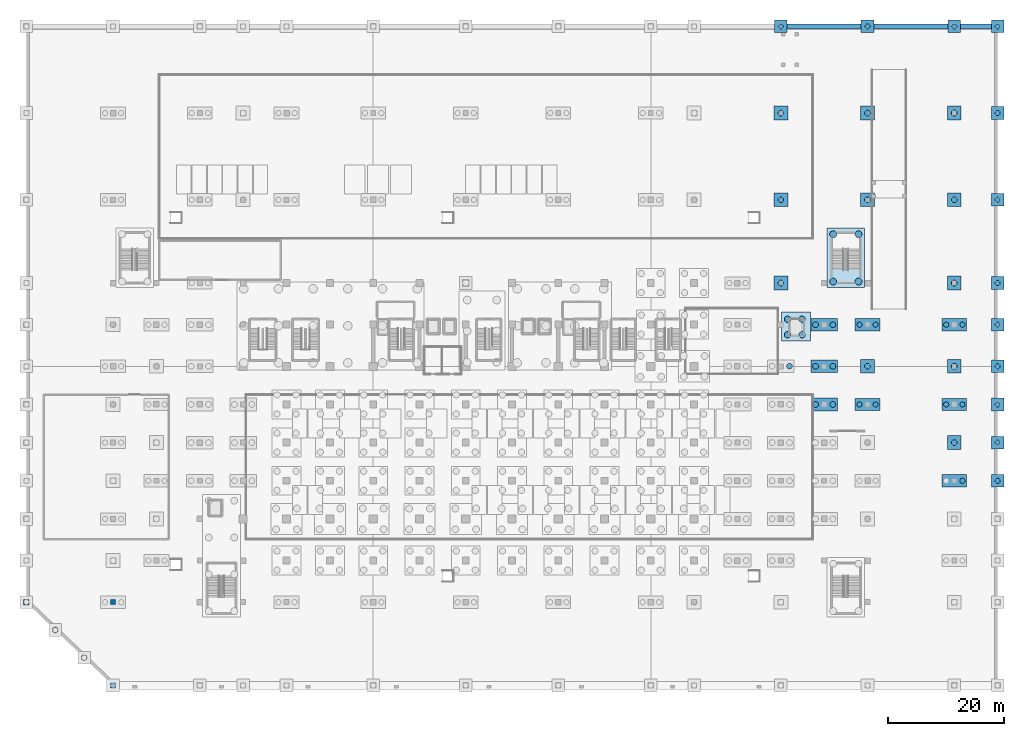
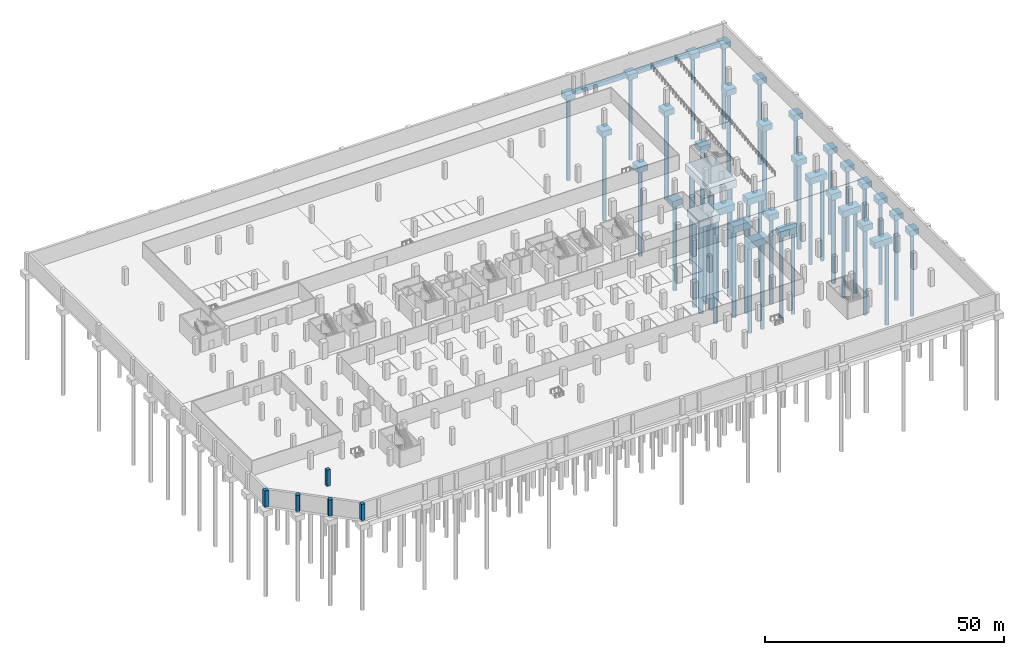
# One storey, part 4 of 26: 47 piles, 36 footings, 5 columns.
"""IFC4 building model written with IfcOpenShell, lengths in metres."""

from ifc_helpers import new_model, si_unit, direction, frame, origin, origin_2d, place, context, subcontext, project, spatial, rectangle, circle, extrude, material, material_profile, profile_set, type_object, element, save


model = new_model("IFC4")

# Units and contexts
model_context = context("Model", 3, precision=1e-05, world=origin(), true_north=direction((0.0, 1.0)))
body_context = subcontext(model_context, "Body", "Model", "MODEL_VIEW")
ifc_project = project(units=[si_unit("LENGTHUNIT", "METRE"), si_unit("AREAUNIT", "SQUARE_METRE"), si_unit("VOLUMEUNIT", "CUBIC_METRE"), si_unit("PLANEANGLEUNIT", "RADIAN"), si_unit("MASSUNIT", "GRAM", prefix="KILO")], contexts=[model_context])

# Site, building, storey
site_placement = place(None, origin())
site = spatial("IfcSite", under=ifc_project, at=site_placement, CompositionType="ELEMENT")
building_placement = place(site_placement, origin())
building = spatial("IfcBuilding", under=site, at=building_placement, Name="Akrevak Sports Hall", CompositionType="ELEMENT")
storey_placement = place(building_placement, frame((0.0, 0.0, -9.0)))
storey = spatial("IfcBuildingStorey", under=building, at=storey_placement, Name="B02", CompositionType="ELEMENT", Elevation=-9.0)

# Footings
ifc_material_1 = material(Name="Concrete C40/50", Category="concrete")
footing_type_1 = type_object("IfcFootingType", Name="STR-PC-220x220x140", PredefinedType="PILE_CAP", material=ifc_material_1)
for number, where, z_axis, x_axis, name in (
    (1, (130.5, 114.0, -1.949951171875), (0.0, 0.0, 1.0), (1.0, 0.0, 0.0), "Pile Cap PC-06 at 18/Q"),
    (2, (145.5, 114.0, -1.949951171875), (0.0, 0.0, 1.0), (1.0, 0.0, 0.0), "Pile Cap PC-06 at 20/Q"),
    (3, (160.5, 114.0, -1.949951171875), (0.0, 0.0, 1.0), (1.0, 0.0, 0.0), "Pile Cap PC-06 at 22/Q"),
    (4, (168.0, 35.39990234375, -1.949951171875), (0.0, 0.0, 1.0), (1.0, 0.0, 0.0), "Pile Cap PC-06 at 23/F"),
    (5, (168.0, 42.0, -1.949951171875), (0.0, 0.0, 1.0), (1.0, 0.0, 0.0), "Pile Cap PC-06 at 23/G"),
    (6, (168.0, 48.60009765625, -1.949951171875), (0.0, 0.0, 1.0), (1.0, 0.0, 0.0), "Pile Cap PC-06 at 23/H"),
    (7, (168.0, 55.199951171875, -1.949951171875), (0.0, 0.0, 1.0), (1.0, 0.0, 0.0), "Pile Cap PC-06 at 23/I"),
    (8, (168.0, 62.39990234375, -1.949951171875), (0.0, 0.0, 1.0), (1.0, 0.0, 0.0), "Pile Cap PC-06 at 23/J"),
    (9, (168.0, 69.60009765625, -1.949951171875), (0.0, 0.0, 1.0), (1.0, 0.0, 0.0), "Pile Cap PC-06 at 23/K"),
    (10, (168.0, 84.0, -1.949951171875), (0.0, 0.0, 1.0), (1.0, 0.0, 0.0), "Pile Cap PC-06 at 23/M"),
    (11, (168.0, 99.0, -1.949951171875), (0.0, 0.0, 1.0), (1.0, 0.0, 0.0), "Pile Cap PC-06 at 23/O"),
    (12, (168.0, 114.0, -1.949951171875), (0.0, 0.0, 1.0), (1.0, 0.0, 0.0), "Pile Cap PC-06 at 23/Q"),
):
    element("IfcFooting", number, at=place(storey_placement, frame(where, z_axis=z_axis, x_axis=x_axis)), inside=storey, type_object=footing_type_1, Name=name, PredefinedType="PILE_CAP", context=body_context, shape_type="SweptSolid", body=[
        extrude(rectangle(XDim=2.199951171875, YDim=2.199951171875, at=origin_2d()), origin(), (0.0, 0.0, 1.0), 1.39990234375),
    ])
footing_type_2 = type_object("IfcFootingType", Name="STR-PC-240x240x150", PredefinedType="PILE_CAP", material=ifc_material_1)
for number, where, z_axis, x_axis, name in (
    (13, (130.5, 69.60009765625, -2.050048828125), (0.0, 0.0, 1.0), (1.0, 0.0, 0.0), "Pile Cap PC-05 at 18/K"),
    (14, (130.5, 84.0, -2.050048828125), (0.0, 0.0, 1.0), (1.0, 0.0, 0.0), "Pile Cap PC-05 at 18/M"),
    (15, (130.5, 99.0, -2.050048828125), (0.0, 0.0, 1.0), (1.0, 0.0, 0.0), "Pile Cap PC-05 at 18/O"),
    (16, (145.5, 55.199951171875, -2.050048828125), (0.0, 0.0, 1.0), (1.0, 0.0, 0.0), "Pile Cap PC-05 at 20/I"),
    (17, (145.5, 84.0, -2.050048828125), (0.0, 0.0, 1.0), (1.0, 0.0, 0.0), "Pile Cap PC-05 at 20/M"),
    (18, (145.5, 99.0, -2.050048828125), (0.0, 0.0, 1.0), (1.0, 0.0, 0.0), "Pile Cap PC-05 at 20/O"),
    (19, (160.5, 42.0, -2.050048828125), (0.0, 0.0, 1.0), (1.0, 0.0, 0.0), "Pile Cap PC-05 at 22/G"),
    (20, (160.5, 55.199951171875, -2.050048828125), (0.0, 0.0, 1.0), (1.0, 0.0, 0.0), "Pile Cap PC-05 at 22/I"),
    (21, (160.5, 69.60009765625, -2.050048828125), (0.0, 0.0, 1.0), (1.0, 0.0, 0.0), "Pile Cap PC-05 at 22/K"),
    (22, (160.5, 84.0, -2.050048828125), (0.0, 0.0, 1.0), (1.0, 0.0, 0.0), "Pile Cap PC-05 at 22/M"),
    (23, (160.5, 99.0, -2.050048828125), (0.0, 0.0, 1.0), (1.0, 0.0, 0.0), "Pile Cap PC-05 at 22/O"),
):
    element("IfcFooting", number, at=place(storey_placement, frame(where, z_axis=z_axis, x_axis=x_axis)), inside=storey, type_object=footing_type_2, Name=name, PredefinedType="PILE_CAP", context=body_context, shape_type="SweptSolid", body=[
        extrude(rectangle(XDim=2.39990234375, YDim=2.39990234375, at=origin_2d()), origin(), (0.0, 0.0, 1.0), 1.5),
    ])
footing_type_3 = type_object("IfcFootingType", Name="STR-PC-430x210x160", PredefinedType="PILE_CAP", material=ifc_material_1)
for number, where, z_axis, x_axis, name in (
    (24, (145.5, 48.60009765625, -2.150146484375), (0.0, 0.0, 1.0), (1.0, 0.0, 0.0), "Pile Cap PC-04 at 20/H"),
    (25, (145.5, 62.39990234375, -2.150146484375), (0.0, 0.0, 1.0), (1.0, 0.0, 0.0), "Pile Cap PC-04 at 20/J"),
    (26, (160.5, 35.39990234375, -2.150146484375), (0.0, 0.0, 1.0), (1.0, 0.0, 0.0), "Pile Cap PC-04 at 22/F"),
    (27, (160.5, 48.60009765625, -2.150146484375), (0.0, 0.0, 1.0), (1.0, 0.0, 0.0), "Pile Cap PC-04 at 22/H"),
    (28, (160.5, 62.39990234375, -2.150146484375), (0.0, 0.0, 1.0), (1.0, 0.0, 0.0), "Pile Cap PC-04 at 22/J"),
):
    element("IfcFooting", number, at=place(storey_placement, frame(where, z_axis=z_axis, x_axis=x_axis)), inside=storey, type_object=footing_type_3, Name=name, PredefinedType="PILE_CAP", context=body_context, shape_type="SweptSolid", body=[
        extrude(rectangle(XDim=4.300048828125, YDim=2.10009765625, at=origin_2d()), origin(), (0.0, 0.0, 1.0), 1.60009765625),
    ])
footing_type_4 = type_object("IfcFootingType", Name="STR-PC-460x220x175", PredefinedType="PILE_CAP", material=ifc_material_1)
for number, where, z_axis, x_axis, name in (
    (29, (138.0, 48.60009765625, -2.300048828125), (0.0, 0.0, 1.0), (1.0, 0.0, 0.0), "Pile Cap PC-03 at 19/H"),
    (30, (138.0, 55.199951171875, -2.300048828125), (0.0, 0.0, 1.0), (1.0, 0.0, 0.0), "Pile Cap PC-03 at 19/I"),
    (31, (138.0, 62.39990234375, -2.300048828125), (0.0, 0.0, 1.0), (1.0, 0.0, 0.0), "Pile Cap PC-03 at 19/J"),
):
    element("IfcFooting", number, at=place(storey_placement, frame(where, z_axis=z_axis, x_axis=x_axis)), inside=storey, type_object=footing_type_4, Name=name, PredefinedType="PILE_CAP", context=body_context, shape_type="SweptSolid", body=[
        extrude(rectangle(XDim=4.60009765625, YDim=2.199951171875, at=origin_2d()), origin(), (0.0, 0.0, 1.0), 1.75),
    ])
footing_type_5 = type_object("IfcFootingType", Name="STR-PC-MAT-P4", PredefinedType="PILE_CAP", material=ifc_material_1)
footing_1_placement = place(storey_placement, frame((141.75, 73.949951171875, -2.5), z_axis=(0.0, 0.0, 1.0), x_axis=(1.0, 0.0, 0.0)))
element("IfcFooting", 32, at=footing_1_placement, inside=storey, type_object=footing_type_5, Name="Combined Pile Cap PC-M8", PredefinedType="PILE_CAP", context=body_context, shape_type="SweptSolid", body=[
    extrude(rectangle(XDim=6.5, YDim=10.300048828125, at=origin_2d()), origin(), (0.0, 0.0, 1.0), 1.949951171875),
])
footing_type_6 = type_object("IfcFootingType", Name="STR-PC-MAT-P5", PredefinedType="PILE_CAP", material=ifc_material_1)
footing_2_placement = place(storey_placement, frame((133.10009765625, 62.10009765625, -2.400146484375), z_axis=(0.0, 0.0, 1.0), x_axis=(1.0, 0.0, 0.0)))
element("IfcFooting", 33, at=footing_2_placement, inside=storey, type_object=footing_type_6, Name="Combined Pile Cap PC-M9", PredefinedType="PILE_CAP", context=body_context, shape_type="SweptSolid", body=[
    extrude(rectangle(XDim=5.0, YDim=5.0, at=origin_2d()), origin(), (0.0, 0.0, 1.0), 1.85009765625),
])

# Piles
ifc_material_profile_1 = material_profile(ifc_material_1, circle(Radius=0.5, at=origin_2d()), Name="BORED PILE D1000", Category="concrete")
ifc_profile_set_1 = profile_set([ifc_material_profile_1], Name="Concrete C40/50")
pile_type_1 = type_object("IfcPileType", Name="STR-PILE-D1000", PredefinedType="BORED", material=ifc_profile_set_1)
for number, where, z_axis, x_axis, name in (
    (34, (132.0, 55.199951171875, -2.300048828125), (0.0, 0.0, -1.0), (1.0, 0.0, 0.0), "Bored Pile 18/I-2"),
    (35, (130.5, 69.60009765625, -2.050048828125), (0.0, 0.0, -1.0), (1.0, 0.0, 0.0), "Bored Pile 18/K-1"),
    (36, (130.5, 84.0, -2.050048828125), (0.0, 0.0, -1.0), (1.0, 0.0, 0.0), "Bored Pile 18/M-1"),
    (37, (130.5, 99.0, -2.050048828125), (0.0, 0.0, -1.0), (1.0, 0.0, 0.0), "Bored Pile 18/O-1"),
    (38, (136.5, 48.60009765625, -2.300048828125), (0.0, 0.0, -1.0), (1.0, 0.0, 0.0), "Bored Pile 19/H-1"),
    (39, (139.5, 48.60009765625, -2.300048828125), (0.0, 0.0, -1.0), (1.0, 0.0, 0.0), "Bored Pile 19/H-2"),
    (40, (136.5, 55.199951171875, -2.300048828125), (0.0, 0.0, -1.0), (1.0, 0.0, 0.0), "Bored Pile 19/I-1"),
    (41, (139.5, 55.199951171875, -2.300048828125), (0.0, 0.0, -1.0), (1.0, 0.0, 0.0), "Bored Pile 19/I-2"),
    (42, (136.5, 62.39990234375, -2.300048828125), (0.0, 0.0, -1.0), (1.0, 0.0, 0.0), "Bored Pile 19/J-1"),
    (43, (139.5, 62.39990234375, -2.300048828125), (0.0, 0.0, -1.0), (1.0, 0.0, 0.0), "Bored Pile 19/J-2"),
    (44, (145.5, 55.199951171875, -2.050048828125), (0.0, 0.0, -1.0), (1.0, 0.0, 0.0), "Bored Pile 20/I-1"),
    (45, (145.5, 84.0, -2.050048828125), (0.0, 0.0, -1.0), (1.0, 0.0, 0.0), "Bored Pile 20/M-1"),
    (46, (145.5, 99.0, -2.050048828125), (0.0, 0.0, -1.0), (1.0, 0.0, 0.0), "Bored Pile 20/O-1"),
    (47, (160.5, 42.0, -2.050048828125), (0.0, 0.0, -1.0), (1.0, 0.0, 0.0), "Bored Pile 22/G-1"),
    (48, (160.5, 55.199951171875, -2.050048828125), (0.0, 0.0, -1.0), (1.0, 0.0, 0.0), "Bored Pile 22/I-1"),
    (49, (160.5, 69.60009765625, -2.050048828125), (0.0, 0.0, -1.0), (1.0, 0.0, 0.0), "Bored Pile 22/K-1"),
    (50, (160.5, 84.0, -2.050048828125), (0.0, 0.0, -1.0), (1.0, 0.0, 0.0), "Bored Pile 22/M-1"),
    (51, (160.5, 99.0, -2.050048828125), (0.0, 0.0, -1.0), (1.0, 0.0, 0.0), "Bored Pile 22/O-1"),
):
    element("IfcPile", number, at=place(storey_placement, frame(where, z_axis=z_axis, x_axis=x_axis)), inside=storey, type_object=pile_type_1, Name=name, PredefinedType="BORED", context=body_context, shape_type="SweptSolid", body=[
        extrude(circle(Radius=0.5, at=origin_2d()), origin(), (0.0, 0.0, 1.0), 22.0),
    ])
ifc_material_profile_2 = material_profile(ifc_material_1, circle(Radius=0.550048828125, at=origin_2d()), Name="BORED PILE D1100", Category="concrete")
ifc_profile_set_2 = profile_set([ifc_material_profile_2], Name="Concrete C40/50")
pile_type_2 = type_object("IfcPileType", Name="STR-PILE-D1100", PredefinedType="BORED", material=ifc_profile_set_2)
for number, where, z_axis, x_axis, name in (
    (52, (131.64990234375, 60.64990234375, -2.39990234375), (0.0, 0.0, -1.0), (1.0, 0.0, 0.0), "Bored Pile PC-M9-11"),
    (53, (131.64990234375, 63.35009765625, -2.39990234375), (0.0, 0.0, -1.0), (1.0, 0.0, 0.0), "Bored Pile PC-M9-12"),
    (54, (134.14990234375, 60.64990234375, -2.39990234375), (0.0, 0.0, -1.0), (1.0, 0.0, 0.0), "Bored Pile PC-M9-21"),
    (55, (134.14990234375, 63.35009765625, -2.39990234375), (0.0, 0.0, -1.0), (1.0, 0.0, 0.0), "Bored Pile PC-M9-22"),
):
    element("IfcPile", number, at=place(storey_placement, frame(where, z_axis=z_axis, x_axis=x_axis)), inside=storey, type_object=pile_type_2, Name=name, PredefinedType="BORED", context=body_context, shape_type="SweptSolid", body=[
        extrude(circle(Radius=0.550048828125, at=origin_2d()), origin(), (0.0, 0.0, 1.0), 22.5),
    ])
ifc_material_profile_3 = material_profile(ifc_material_1, circle(Radius=0.60009765625, at=origin_2d()), Name="BORED PILE D1200", Category="concrete")
ifc_profile_set_3 = profile_set([ifc_material_profile_3], Name="Concrete C40/50")
pile_type_3 = type_object("IfcPileType", Name="STR-PILE-D1200", PredefinedType="BORED", material=ifc_profile_set_3)
for number, where, z_axis, x_axis, name in (
    (56, (139.550048828125, 69.85009765625, -2.5), (0.0, 0.0, -1.0), (1.0, 0.0, 0.0), "Bored Pile PC-M8-11"),
    (57, (139.550048828125, 78.050048828125, -2.5), (0.0, 0.0, -1.0), (1.0, 0.0, 0.0), "Bored Pile PC-M8-12"),
    (58, (143.949951171875, 69.85009765625, -2.5), (0.0, 0.0, -1.0), (1.0, 0.0, 0.0), "Bored Pile PC-M8-21"),
    (59, (143.949951171875, 78.050048828125, -2.5), (0.0, 0.0, -1.0), (1.0, 0.0, 0.0), "Bored Pile PC-M8-22"),
):
    element("IfcPile", number, at=place(storey_placement, frame(where, z_axis=z_axis, x_axis=x_axis)), inside=storey, type_object=pile_type_3, Name=name, PredefinedType="BORED", context=body_context, shape_type="SweptSolid", body=[
        extrude(circle(Radius=0.60009765625, at=origin_2d()), origin(), (0.0, 0.0, 1.0), 23.0),
    ])
ifc_material_profile_4 = material_profile(ifc_material_1, circle(Radius=0.449951171875, at=origin_2d()), Name="BORED PILE D900", Category="concrete")
ifc_profile_set_4 = profile_set([ifc_material_profile_4], Name="Concrete C40/50")
pile_type_4 = type_object("IfcPileType", Name="STR-PILE-D900", PredefinedType="BORED", material=ifc_profile_set_4)
for number, where, z_axis, x_axis, name in (
    (60, (130.5, 114.0, -1.949951171875), (0.0, 0.0, -1.0), (1.0, 0.0, 0.0), "Bored Pile 18/Q-1"),
    (61, (144.10009765625, 48.60009765625, -2.14990234375), (0.0, 0.0, -1.0), (1.0, 0.0, 0.0), "Bored Pile 20/H-1"),
    (62, (146.89990234375, 48.60009765625, -2.14990234375), (0.0, 0.0, -1.0), (1.0, 0.0, 0.0), "Bored Pile 20/H-2"),
    (63, (144.10009765625, 62.39990234375, -2.14990234375), (0.0, 0.0, -1.0), (1.0, 0.0, 0.0), "Bored Pile 20/J-1"),
    (64, (146.89990234375, 62.39990234375, -2.14990234375), (0.0, 0.0, -1.0), (1.0, 0.0, 0.0), "Bored Pile 20/J-2"),
    (65, (145.5, 114.0, -1.949951171875), (0.0, 0.0, -1.0), (1.0, 0.0, 0.0), "Bored Pile 20/Q-1"),
    (66, (161.89990234375, 35.39990234375, -2.14990234375), (0.0, 0.0, -1.0), (1.0, 0.0, 0.0), "Bored Pile 22/F-2"),
    (67, (159.10009765625, 48.60009765625, -2.14990234375), (0.0, 0.0, -1.0), (1.0, 0.0, 0.0), "Bored Pile 22/H-1"),
    (68, (161.89990234375, 48.60009765625, -2.14990234375), (0.0, 0.0, -1.0), (1.0, 0.0, 0.0), "Bored Pile 22/H-2"),
    (69, (159.10009765625, 62.39990234375, -2.14990234375), (0.0, 0.0, -1.0), (1.0, 0.0, 0.0), "Bored Pile 22/J-1"),
    (70, (161.89990234375, 62.39990234375, -2.14990234375), (0.0, 0.0, -1.0), (1.0, 0.0, 0.0), "Bored Pile 22/J-2"),
    (71, (160.5, 114.0, -1.949951171875), (0.0, 0.0, -1.0), (1.0, 0.0, 0.0), "Bored Pile 22/Q-1"),
    (72, (168.0, 35.39990234375, -1.949951171875), (0.0, 0.0, -1.0), (1.0, 0.0, 0.0), "Bored Pile 23/F-1"),
    (73, (168.0, 42.0, -1.949951171875), (0.0, 0.0, -1.0), (1.0, 0.0, 0.0), "Bored Pile 23/G-1"),
    (74, (168.0, 48.60009765625, -1.949951171875), (0.0, 0.0, -1.0), (1.0, 0.0, 0.0), "Bored Pile 23/H-1"),
    (75, (168.0, 55.199951171875, -1.949951171875), (0.0, 0.0, -1.0), (1.0, 0.0, 0.0), "Bored Pile 23/I-1"),
    (76, (168.0, 62.39990234375, -1.949951171875), (0.0, 0.0, -1.0), (1.0, 0.0, 0.0), "Bored Pile 23/J-1"),
    (77, (168.0, 69.60009765625, -1.949951171875), (0.0, 0.0, -1.0), (1.0, 0.0, 0.0), "Bored Pile 23/K-1"),
    (78, (168.0, 84.0, -1.949951171875), (0.0, 0.0, -1.0), (1.0, 0.0, 0.0), "Bored Pile 23/M-1"),
    (79, (168.0, 99.0, -1.949951171875), (0.0, 0.0, -1.0), (1.0, 0.0, 0.0), "Bored Pile 23/O-1"),
    (80, (168.0, 114.0, -1.949951171875), (0.0, 0.0, -1.0), (1.0, 0.0, 0.0), "Bored Pile 23/Q-1"),
):
    element("IfcPile", number, at=place(storey_placement, frame(where, z_axis=z_axis, x_axis=x_axis)), inside=storey, type_object=pile_type_4, Name=name, PredefinedType="BORED", context=body_context, shape_type="SweptSolid", body=[
        extrude(circle(Radius=0.449951171875, at=origin_2d()), origin(), (0.0, 0.0, 1.0), 21.0),
    ])

# Footings
footing_type_7 = type_object("IfcFootingType", Name="STR-SF-850x1050", PredefinedType="STRIP_FOOTING", material=ifc_material_1)
for number, where, z_axis, x_axis, name in (
    (81, (138.0, 114.0, -1.60009765625), (0.0, 0.0, 1.0), (1.0, 0.0, 0.0), "Continuous Strip Footing SF-02-2.11"),
    (82, (153.0, 114.0, -1.60009765625), (0.0, 0.0, 1.0), (1.0, 0.0, 0.0), "Continuous Strip Footing SF-02-2.12"),
):
    element("IfcFooting", number, at=place(storey_placement, frame(where, z_axis=z_axis, x_axis=x_axis)), inside=storey, type_object=footing_type_7, Name=name, PredefinedType="STRIP_FOOTING", context=body_context, shape_type="SweptSolid", body=[
        extrude(rectangle(XDim=12.800048828125, YDim=0.85009765625, at=origin_2d()), origin(), (0.0, 0.0, 1.0), 1.050048828125),
    ])
footing_3_placement = place(storey_placement, frame((164.25, 114.0, -1.60009765625), z_axis=(0.0, 0.0, 1.0), x_axis=(1.0, 0.0, 0.0)))
element("IfcFooting", 83, at=footing_3_placement, inside=storey, type_object=footing_type_7, Name="Continuous Strip Footing SF-02-2.13", PredefinedType="STRIP_FOOTING", context=body_context, shape_type="SweptSolid", body=[
    extrude(rectangle(XDim=5.300048828125, YDim=0.85009765625, at=origin_2d()), origin(), (0.0, 0.0, 1.0), 1.050048828125),
])

# Columns
ifc_material_2 = material(Name="Concrete C50/60", Category="concrete")
ifc_material_profile_5 = material_profile(ifc_material_2, circle(Radius=0.5, at=origin_2d()), Name="COL D1000", Category="concrete")
ifc_profile_set_5 = profile_set([ifc_material_profile_5], Name="Concrete C50/60")
column_type_1 = type_object("IfcColumnType", Name="STR-COL-D1000", PredefinedType="COLUMN", material=ifc_profile_set_5)
for number, where, z_axis, x_axis, name in (
    (84, (10.0, 4.800048828125, 0.0), (0.0, 0.0, 1.0), (1.0, 0.0, 0.0), "Beaux-Arts Chamfer Colonnade Column CH1 (B02)"),
    (85, (5.0, 9.60009765625, 0.0), (0.0, 0.0, 1.0), (1.0, 0.0, 0.0), "Beaux-Arts Chamfer Colonnade Column CH2 (B02)"),
):
    element("IfcColumn", number, at=place(storey_placement, frame(where, z_axis=z_axis, x_axis=x_axis)), inside=storey, type_object=column_type_1, Name=name, PredefinedType="COLUMN", context=body_context, shape_type="SweptSolid", body=[
        extrude(circle(Radius=0.5, at=origin_2d()), origin(), (0.0, 0.0, 1.0), 4.179931640625),
    ])
ifc_material_profile_6 = material_profile(ifc_material_1, rectangle(XDim=0.85009765625, YDim=0.85009765625, at=origin_2d()), Name="RC 850x850", Category="concrete")
ifc_profile_set_6 = profile_set([ifc_material_profile_6], Name="Concrete C40/50")
column_type_2 = type_object("IfcColumnType", Name="STR-COL-RC850", PredefinedType="COLUMN", material=ifc_profile_set_6)
for number, where, z_axis, x_axis, name in (
    (86, (15.0, 0.0, 0.0), (0.0, 0.0, 1.0), (1.0, 0.0, 0.0), "Column 3/A (B02)"),
    (87, (15.0, 14.39990234375, 0.0), (0.0, 0.0, 1.0), (1.0, 0.0, 0.0), "Column 3/C (B02)"),
):
    element("IfcColumn", number, at=place(storey_placement, frame(where, z_axis=z_axis, x_axis=x_axis)), inside=storey, type_object=column_type_2, Name=name, PredefinedType="COLUMN", context=body_context, shape_type="SweptSolid", body=[
        extrude(rectangle(XDim=0.85009765625, YDim=0.85009765625, at=origin_2d()), origin(), (0.0, 0.0, 1.0), 4.179931640625),
    ])
ifc_material_profile_7 = material_profile(ifc_material_2, rectangle(XDim=0.949951171875, YDim=0.949951171875, at=origin_2d()), Name="RC 950x950", Category="concrete")
ifc_profile_set_7 = profile_set([ifc_material_profile_7], Name="Concrete C50/60")
column_type_3 = type_object("IfcColumnType", Name="STR-COL-RC950", PredefinedType="COLUMN", material=ifc_profile_set_7)
column_placement = place(storey_placement, frame((0.0, 14.39990234375, 0.0), z_axis=(0.0, 0.0, 1.0), x_axis=(1.0, 0.0, 0.0)))
element("IfcColumn", 88, at=column_placement, inside=storey, type_object=column_type_3, Name="Column 1/C (B02)", PredefinedType="COLUMN", context=body_context, shape_type="SweptSolid", body=[
    extrude(rectangle(XDim=0.949951171875, YDim=0.949951171875, at=origin_2d()), origin(), (0.0, 0.0, 1.0), 4.179931640625),
])

save(model, "model.ifc")
